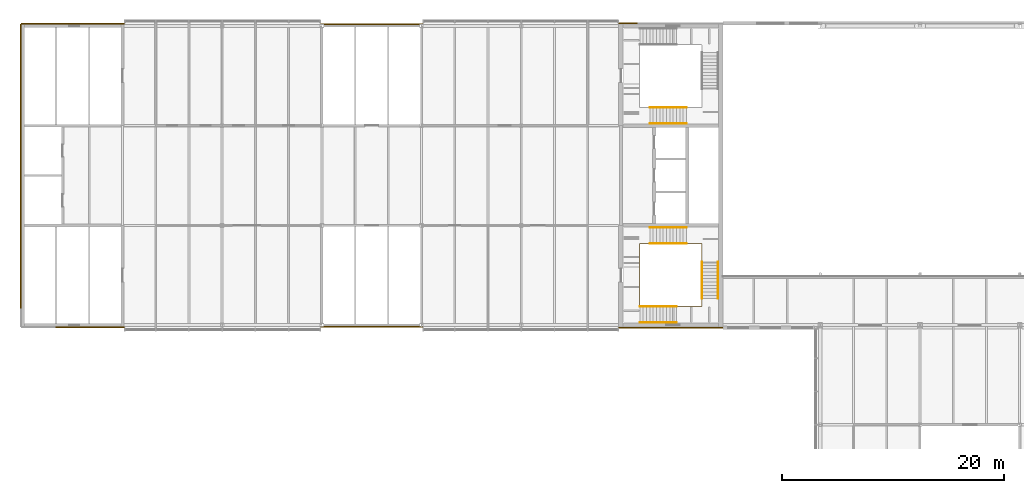
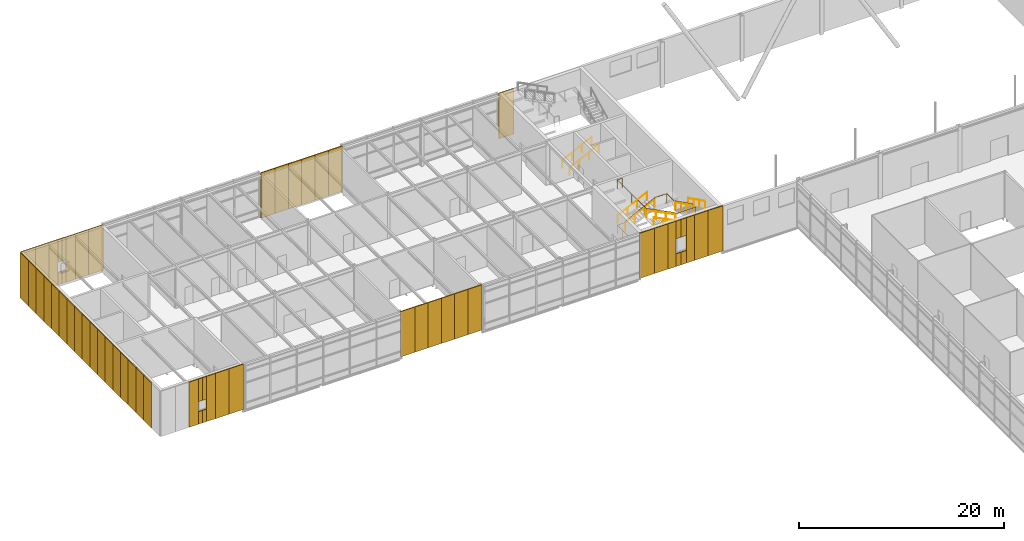
# One storey, part 43 of 46: 58 coverings, 9 railings.
"""IFC4 building model written with IfcOpenShell, lengths in metres."""

import ifcopenshell
import ifcopenshell.guid

model = None  # the IFC model being written
_history = None  # IfcOwnerHistory: only IFC2X3 demands one
_inside = {}  # id of a spatial element -> (the spatial element, [elements in it])
_under = {}  # id of a project, library or spatial element -> (it, [spatial elements below it])
_declared = {}  # id of a project -> (the project, [libraries it declares])
_typed = {}  # id of a type object -> (the type object, [elements of that type])
_made_of = {}  # id of a material, layer set ... -> (it, [elements and type objects made of it])


def new_model(schema):
    """Start an empty IFC model of exactly this schema.

    Asked for "IFC4X3", IfcOpenShell would pick the latest addendum, in which some entities
    have other attributes; the version numbers below select the first issue.
    IFC2X3 requires an IfcOwnerHistory on every rooted entity: one is made here for all.
    """
    global model, _history
    if schema == "IFC4X3":
        model = ifcopenshell.file(schema_version=(4, 3, 0, 0))
    else:
        model = ifcopenshell.file(schema=schema)
    _inside.clear()
    _under.clear()
    _declared.clear()
    _typed.clear()
    _made_of.clear()
    _history = None
    if model.schema == "IFC2X3":
        org = make("IfcOrganization", Name="unknown")
        user = make(
            "IfcPersonAndOrganization",
            ThePerson=make("IfcPerson", FamilyName="unknown"),
            TheOrganization=org,
        )
        app = make(
            "IfcApplication",
            ApplicationDeveloper=org,
            Version="unknown",
            ApplicationFullName="unknown",
            ApplicationIdentifier="unknown",
        )
        _history = make(
            "IfcOwnerHistory",
            OwningUser=user,
            OwningApplication=app,
            ChangeAction="ADDED",
            CreationDate=0,
        )
    return model


def make(cls, **values):
    """One entity of the class cls with the attributes given. An attribute that is None is left unset."""
    return model.create_entity(
        cls, **{name: value for name, value in values.items() if value is not None}
    )


def rooted(cls, **values):
    """An entity with a GlobalId (a new one), such as an element, a storey or a relation."""
    return make(cls, GlobalId=ifcopenshell.guid.new(), OwnerHistory=_history, **values)


def si_unit(unit_type, name, prefix=None):
    """IfcSIUnit, for example si_unit("LENGTHUNIT", "METRE", prefix="MILLI")."""
    return make("IfcSIUnit", UnitType=unit_type, Prefix=prefix, Name=name)


def assignment(units):
    """IfcUnitAssignment: the units of a project."""
    return None if units is None else make("IfcUnitAssignment", Units=units)


def point(xyz):
    """IfcCartesianPoint."""
    return None if xyz is None else make("IfcCartesianPoint", Coordinates=xyz)


def direction(xyz):
    """IfcDirection."""
    return None if xyz is None else make("IfcDirection", DirectionRatios=xyz)


def frame(location, z_axis=None, x_axis=None):
    """IfcAxis2Placement3D, a coordinate frame: its origin and axes. An axis left out is left unset."""
    return make(
        "IfcAxis2Placement3D",
        Location=point(location),
        Axis=direction(z_axis),
        RefDirection=direction(x_axis),
    )


def frame_2d(location, x_axis=None):
    """IfcAxis2Placement2D, a coordinate frame in the plane: its origin and x axis."""
    return make(
        "IfcAxis2Placement2D", Location=point(location), RefDirection=direction(x_axis)
    )


def origin():
    """The frame at (0, 0, 0) with its axes left unset."""
    return frame((0.0, 0.0, 0.0))


def origin_2d():
    """The frame at (0, 0) in the plane with its x axis left unset."""
    return frame_2d((0.0, 0.0))


def place(relative_to, where):
    """IfcLocalPlacement: puts the frame where relative to a parent placement (None: the world)."""
    return make(
        "IfcLocalPlacement", PlacementRelTo=relative_to, RelativePlacement=where
    )


def context(
    kind, dimensions, precision=None, world=None, true_north=None, identifier=None
):
    """IfcGeometricRepresentationContext, for example the 3D "Model" context."""
    return make(
        "IfcGeometricRepresentationContext",
        ContextIdentifier=identifier,
        ContextType=kind,
        CoordinateSpaceDimension=dimensions,
        Precision=precision,
        WorldCoordinateSystem=world,
        TrueNorth=true_north,
    )


def subcontext(parent, identifier, kind, view, scale=None):
    """IfcGeometricRepresentationSubContext, for example "Body" below "Model"."""
    return make(
        "IfcGeometricRepresentationSubContext",
        ContextIdentifier=identifier,
        ContextType=kind,
        ParentContext=parent,
        TargetScale=scale,
        TargetView=view,
    )


def project(units=None, contexts=None):
    """IfcProject with its units and contexts."""
    return rooted(
        "IfcProject",
        Name="project",
        RepresentationContexts=contexts,
        UnitsInContext=assignment(units),
    )


def spatial(cls, under=None, at=None, **own):
    """A site, building, storey or space (cls), placed at a placement, below another one or the project."""
    s = rooted(cls, ObjectPlacement=at, **own)
    if under is not None:
        _under.setdefault(under.id(), (under, []))[1].append(s)
    return s


def profile(cls, at=None, kind="AREA", **sizes):
    """A parametric profile (cls). Its sizes go by their IFC names, for example OverallWidth=200.0."""
    return make(cls, ProfileType=kind, Position=at, **sizes)


def rectangle(**sizes):
    """IfcRectangleProfileDef."""
    return profile("IfcRectangleProfileDef", **sizes)


def circle(**sizes):
    """IfcCircleProfileDef."""
    return profile("IfcCircleProfileDef", **sizes)


def extrude(swept, where, along, depth):
    """IfcExtrudedAreaSolid: the profile swept, set in the frame where, extruded along a direction by depth."""
    return make(
        "IfcExtrudedAreaSolid",
        SweptArea=swept,
        Position=where,
        ExtrudedDirection=direction(along),
        Depth=depth,
    )


def shape(context_of_items, identifier, shape_type, items):
    """IfcShapeRepresentation: the items that make up one representation, for example the "Body"."""
    return make(
        "IfcShapeRepresentation",
        ContextOfItems=context_of_items,
        RepresentationIdentifier=identifier,
        RepresentationType=shape_type,
        Items=items,
    )


def material(Name=None, Category=None):
    """IfcMaterial."""
    return make("IfcMaterial", Name=Name, Category=Category)


def layer(
    of_material, thickness, ventilated=None, Name=None, Category=None, Priority=None
):
    """IfcMaterialLayer: one layer of a wall or slab, of a material (None: an air gap)."""
    return make(
        "IfcMaterialLayer",
        Material=of_material,
        LayerThickness=thickness,
        IsVentilated=ventilated,
        Name=Name,
        Category=Category,
        Priority=Priority,
    )


def layer_set(layers, Name=None):
    """IfcMaterialLayerSet."""
    return make("IfcMaterialLayerSet", MaterialLayers=layers, LayerSetName=Name)


def made_of(thing, what):
    """Note that an element or type object is made of a material, layer set ...; save() writes the relation."""
    if what is not None:
        _made_of.setdefault(what.id(), (what, []))[1].append(thing)
    return thing


def type_object(cls, material=None, **own):
    """A type object (cls), such as IfcWallType, which elements share."""
    return made_of(rooted(cls, **own), material)


def element(
    cls,
    number,
    at=None,
    inside=None,
    cuts=None,
    type_object=None,
    material=None,
    context=None,
    identifier="Body",
    shape_type=None,
    held_by="IfcProductDefinitionShape",
    body=None,
    shapes=None,
    **own,
):
    """One element of the class cls, such as IfcWall. Its Tag is "e" and its number.

    at: its placement. inside: the storey or other place that contains it. cuts: it is an
    opening in that element (IfcRelVoidsElement). A single representation is given by context,
    identifier, shape_type and body (its items); several are given by shapes. held_by: the class
    of the entity that holds the representations. save() writes the other relations.
    """
    e = rooted(cls, Tag="e%d" % number, ObjectPlacement=at, **own)
    if body is not None:
        shapes = [shape(context, identifier, shape_type, body)]
    if shapes is not None:
        e.Representation = make(held_by, Representations=shapes)
    if inside is not None:
        _inside.setdefault(inside.id(), (inside, []))[1].append(e)
    if cuts is not None:
        rooted(
            "IfcRelVoidsElement", RelatingBuildingElement=cuts, RelatedOpeningElement=e
        )
    if type_object is not None:
        _typed.setdefault(type_object.id(), (type_object, []))[1].append(e)
    return made_of(e, material)


def aggregate(whole, parts):
    """IfcRelAggregates: a whole, such as a stair, and the parts it consists of."""
    return rooted("IfcRelAggregates", RelatingObject=whole, RelatedObjects=parts)


def save(model, path):
    """Write the relations noted so far, then the file.

    IfcRelAggregates (storeys below a building ...), IfcRelContainedInSpatialStructure (elements
    in a storey), IfcRelDefinesByType, IfcRelAssociatesMaterial and IfcRelDeclares: one each for
    every whole, place, type object, material and project.
    """
    for whole, parts in _under.values():
        aggregate(whole, parts)
    for where, things in _inside.values():
        rooted(
            "IfcRelContainedInSpatialStructure",
            RelatedElements=things,
            RelatingStructure=where,
        )
    for kind, things in _typed.values():
        rooted("IfcRelDefinesByType", RelatedObjects=things, RelatingType=kind)
    for what, things in _made_of.values():
        rooted("IfcRelAssociatesMaterial", RelatedObjects=things, RelatingMaterial=what)
    for by, libraries in _declared.values():
        rooted("IfcRelDeclares", RelatingContext=by, RelatedDefinitions=libraries)
    model.write(path)


model = new_model("IFC4")

# Units and contexts
model_context = context("Model", 3, precision=1e-05, world=origin(), true_north=direction((0.0, 1.0)))
body_context = subcontext(model_context, "Body", "Model", "MODEL_VIEW")
ifc_project = project(units=[si_unit("LENGTHUNIT", "METRE"), si_unit("AREAUNIT", "SQUARE_METRE"), si_unit("VOLUMEUNIT", "CUBIC_METRE"), si_unit("PLANEANGLEUNIT", "RADIAN"), si_unit("MASSUNIT", "GRAM", prefix="KILO")], contexts=[model_context])

# Site, building, storey
site_placement = place(None, origin())
site = spatial("IfcSite", under=ifc_project, at=site_placement, CompositionType="ELEMENT")
building_placement = place(site_placement, origin())
building = spatial("IfcBuilding", under=site, at=building_placement, Name="Azimuth Sports and Learning Centre", CompositionType="ELEMENT")
storey_placement = place(building_placement, frame((0.0, 0.0, 21.60009765625)))
storey = spatial("IfcBuildingStorey", under=building, at=storey_placement, Name="L04", CompositionType="ELEMENT", Elevation=21.60009765625)

# Coverings
ifc_material_1 = material(Name="Cladding panel")
ifc_layer = layer(ifc_material_1, 0.10009765625)
ifc_layer_set = layer_set([ifc_layer], Name="Cladding panel")
covering_type = type_object("IfcCoveringType", Name="Cladding panel 100", PredefinedType="CLADDING", material=ifc_layer_set)
covering_1_placement = place(storey_placement, frame((3.52490234375, 89.800048828125, 0.0), z_axis=(0.0, 0.0, 1.0), x_axis=(1.0, 0.0, 0.0)))
element("IfcCovering", 1, at=covering_1_placement, inside=storey, type_object=covering_type, Name="Cladding panel S-END W L04 3", PredefinedType="CLADDING", context=body_context, shape_type="SweptSolid", body=[
    extrude(rectangle(XDim=1.050048828125, YDim=0.10009765625, at=origin_2d()), origin(), (0.0, 0.0, 1.0), 5.39990234375),
])
covering_2_placement = place(storey_placement, frame((4.27490234375, 89.800048828125, 0.0), z_axis=(0.0, 0.0, 1.0), x_axis=(1.0, 0.0, 0.0)))
element("IfcCovering", 2, at=covering_2_placement, inside=storey, type_object=covering_type, Name="Cladding panel S-END W L04 4", PredefinedType="CLADDING", context=body_context, shape_type="SweptSolid", body=[
    extrude(rectangle(XDim=0.449951171875, YDim=0.10009765625, at=origin_2d()), origin(), (0.0, 0.0, 1.0), 1.5),
])
covering_3_placement = place(storey_placement, frame((4.27490234375, 89.800048828125, 2.69970703125), z_axis=(0.0, 0.0, 1.0), x_axis=(1.0, 0.0, 0.0)))
element("IfcCovering", 3, at=covering_3_placement, inside=storey, type_object=covering_type, Name="Cladding panel S-END W L04 5", PredefinedType="CLADDING", context=body_context, shape_type="SweptSolid", body=[
    extrude(rectangle(XDim=0.449951171875, YDim=0.10009765625, at=origin_2d()), origin(), (0.0, 0.0, 1.0), 2.699951171875),
])
covering_4_placement = place(storey_placement, frame((5.47509765625, 89.800048828125, 0.0), z_axis=(0.0, 0.0, 1.0), x_axis=(1.0, 0.0, 0.0)))
element("IfcCovering", 4, at=covering_4_placement, inside=storey, type_object=covering_type, Name="Cladding panel S-END W L04 6", PredefinedType="CLADDING", context=body_context, shape_type="SweptSolid", body=[
    extrude(rectangle(XDim=1.050048828125, YDim=0.10009765625, at=origin_2d()), origin(), (0.0, 0.0, 1.0), 5.39990234375),
])
covering_5_placement = place(storey_placement, frame((4.72509765625, 89.800048828125, 0.0), z_axis=(0.0, 0.0, 1.0), x_axis=(1.0, 0.0, 0.0)))
element("IfcCovering", 5, at=covering_5_placement, inside=storey, type_object=covering_type, Name="Cladding panel S-END W L04 7", PredefinedType="CLADDING", context=body_context, shape_type="SweptSolid", body=[
    extrude(rectangle(XDim=0.449951171875, YDim=0.10009765625, at=origin_2d()), origin(), (0.0, 0.0, 1.0), 1.5),
])
covering_6_placement = place(storey_placement, frame((4.72509765625, 89.800048828125, 2.69970703125), z_axis=(0.0, 0.0, 1.0), x_axis=(1.0, 0.0, 0.0)))
element("IfcCovering", 6, at=covering_6_placement, inside=storey, type_object=covering_type, Name="Cladding panel S-END W L04 8", PredefinedType="CLADDING", context=body_context, shape_type="SweptSolid", body=[
    extrude(rectangle(XDim=0.449951171875, YDim=0.10009765625, at=origin_2d()), origin(), (0.0, 0.0, 1.0), 2.699951171875),
])
covering_7_placement = place(storey_placement, frame((6.75, 89.800048828125, 0.0), z_axis=(0.0, 0.0, 1.0), x_axis=(1.0, 0.0, 0.0)))
element("IfcCovering", 7, at=covering_7_placement, inside=storey, type_object=covering_type, Name="Cladding panel S-END W L04 9", PredefinedType="CLADDING", context=body_context, shape_type="SweptSolid", body=[
    extrude(rectangle(XDim=1.5, YDim=0.10009765625, at=origin_2d()), origin(), (0.0, 0.0, 1.0), 5.39990234375),
])
covering_8_placement = place(storey_placement, frame((8.324951171875, 89.800048828125, 0.0), z_axis=(0.0, 0.0, 1.0), x_axis=(1.0, 0.0, 0.0)))
element("IfcCovering", 8, at=covering_8_placement, inside=storey, type_object=covering_type, Name="Cladding panel S-END W L04 10", PredefinedType="CLADDING", context=body_context, shape_type="SweptSolid", body=[
    extrude(rectangle(XDim=1.64990234375, YDim=0.10009765625, at=origin_2d()), origin(), (0.0, 0.0, 1.0), 5.39990234375),
])
covering_9_placement = place(storey_placement, frame((27.699951171875, 89.85009765625, 0.0), z_axis=(0.0, 0.0, 1.0), x_axis=(1.0, 0.0, 0.0)))
element("IfcCovering", 9, at=covering_9_placement, inside=storey, type_object=covering_type, Name="Cladding panel S-WM1 L04 1", PredefinedType="CLADDING", context=body_context, shape_type="SweptSolid", body=[
    extrude(rectangle(XDim=1.60009765625, YDim=0.10009765625, at=origin_2d()), origin(), (0.0, 0.0, 1.0), 5.39990234375),
])
for number, where, z_axis, x_axis, name in (
    (10, (29.25, 89.85009765625, 0.0), (0.0, 0.0, 1.0), (1.0, 0.0, 0.0), "Cladding panel S-WM1 L04 2"),
    (11, (30.75, 89.85009765625, 0.0), (0.0, 0.0, 1.0), (1.0, 0.0, 0.0), "Cladding panel S-WM1 L04 3"),
    (12, (32.25, 89.85009765625, 0.0), (0.0, 0.0, 1.0), (1.0, 0.0, 0.0), "Cladding panel S-WM1 L04 4"),
    (13, (33.75, 89.85009765625, 0.0), (0.0, 0.0, 1.0), (1.0, 0.0, 0.0), "Cladding panel S-WM1 L04 5"),
):
    element("IfcCovering", number, at=place(storey_placement, frame(where, z_axis=z_axis, x_axis=x_axis)), inside=storey, type_object=covering_type, Name=name, PredefinedType="CLADDING", context=body_context, shape_type="SweptSolid", body=[
        extrude(rectangle(XDim=1.5, YDim=0.10009765625, at=origin_2d()), origin(), (0.0, 0.0, 1.0), 5.39990234375),
    ])
covering_10_placement = place(storey_placement, frame((35.300048828125, 89.85009765625, 0.0), z_axis=(0.0, 0.0, 1.0), x_axis=(1.0, 0.0, 0.0)))
element("IfcCovering", 14, at=covering_10_placement, inside=storey, type_object=covering_type, Name="Cladding panel S-WM1 L04 6", PredefinedType="CLADDING", context=body_context, shape_type="SweptSolid", body=[
    extrude(rectangle(XDim=1.60009765625, YDim=0.10009765625, at=origin_2d()), origin(), (0.0, 0.0, 1.0), 5.39990234375),
])
covering_11_placement = place(storey_placement, frame((54.64990234375, 89.75, 0.0), z_axis=(0.0, 0.0, 1.0), x_axis=(1.0, 0.0, 0.0)))
element("IfcCovering", 15, at=covering_11_placement, inside=storey, type_object=covering_type, Name="Cladding panel S-CORE W L04 1", PredefinedType="CLADDING", context=body_context, shape_type="SweptSolid", body=[
    extrude(rectangle(XDim=1.699951171875, YDim=0.10009765625, at=origin_2d()), origin(), (0.0, 0.0, 1.0), 5.39990234375),
])
covering_12_placement = place(storey_placement, frame((56.25, 89.75, 0.0), z_axis=(0.0, 0.0, 1.0), x_axis=(1.0, 0.0, 0.0)))
element("IfcCovering", 16, at=covering_12_placement, inside=storey, type_object=covering_type, Name="Cladding panel S-CORE W L04 2", PredefinedType="CLADDING", context=body_context, shape_type="SweptSolid", body=[
    extrude(rectangle(XDim=1.5, YDim=0.10009765625, at=origin_2d()), origin(), (0.0, 0.0, 1.0), 5.39990234375),
])
covering_13_placement = place(storey_placement, frame((57.449951171875, 89.75, 0.0), z_axis=(0.0, 0.0, 1.0), x_axis=(1.0, 0.0, 0.0)))
element("IfcCovering", 17, at=covering_13_placement, inside=storey, type_object=covering_type, Name="Cladding panel S-CORE W L04 3", PredefinedType="CLADDING", context=body_context, shape_type="SweptSolid", body=[
    extrude(rectangle(XDim=0.89990234375, YDim=0.10009765625, at=origin_2d()), origin(), (0.0, 0.0, 1.0), 5.39990234375),
])
covering_14_placement = place(storey_placement, frame((58.199951171875, 89.75, 0.0), z_axis=(0.0, 0.0, 1.0), x_axis=(1.0, 0.0, 0.0)))
element("IfcCovering", 18, at=covering_14_placement, inside=storey, type_object=covering_type, Name="Cladding panel S-CORE W L04 4", PredefinedType="CLADDING", context=body_context, shape_type="SweptSolid", body=[
    extrude(rectangle(XDim=0.60009765625, YDim=0.10009765625, at=origin_2d()), origin(), (0.0, 0.0, 1.0), 1.5),
])
covering_15_placement = place(storey_placement, frame((58.199951171875, 89.75, 3.2998046875), z_axis=(0.0, 0.0, 1.0), x_axis=(1.0, 0.0, 0.0)))
element("IfcCovering", 19, at=covering_15_placement, inside=storey, type_object=covering_type, Name="Cladding panel S-CORE W L04 5", PredefinedType="CLADDING", context=body_context, shape_type="SweptSolid", body=[
    extrude(rectangle(XDim=0.60009765625, YDim=0.10009765625, at=origin_2d()), origin(), (0.0, 0.0, 1.0), 2.10009765625),
])
covering_16_placement = place(storey_placement, frame((59.550048828125, 89.75, 0.0), z_axis=(0.0, 0.0, 1.0), x_axis=(1.0, 0.0, 0.0)))
element("IfcCovering", 20, at=covering_16_placement, inside=storey, type_object=covering_type, Name="Cladding panel S-CORE W L04 6", PredefinedType="CLADDING", context=body_context, shape_type="SweptSolid", body=[
    extrude(rectangle(XDim=0.89990234375, YDim=0.10009765625, at=origin_2d()), origin(), (0.0, 0.0, 1.0), 5.39990234375),
])
covering_17_placement = place(storey_placement, frame((58.800048828125, 89.75, 0.0), z_axis=(0.0, 0.0, 1.0), x_axis=(1.0, 0.0, 0.0)))
element("IfcCovering", 21, at=covering_17_placement, inside=storey, type_object=covering_type, Name="Cladding panel S-CORE W L04 7", PredefinedType="CLADDING", context=body_context, shape_type="SweptSolid", body=[
    extrude(rectangle(XDim=0.60009765625, YDim=0.10009765625, at=origin_2d()), origin(), (0.0, 0.0, 1.0), 1.5),
])
covering_18_placement = place(storey_placement, frame((58.800048828125, 89.75, 3.2998046875), z_axis=(0.0, 0.0, 1.0), x_axis=(1.0, 0.0, 0.0)))
element("IfcCovering", 22, at=covering_18_placement, inside=storey, type_object=covering_type, Name="Cladding panel S-CORE W L04 8", PredefinedType="CLADDING", context=body_context, shape_type="SweptSolid", body=[
    extrude(rectangle(XDim=0.60009765625, YDim=0.10009765625, at=origin_2d()), origin(), (0.0, 0.0, 1.0), 2.10009765625),
])
covering_19_placement = place(storey_placement, frame((60.75, 89.75, 0.0), z_axis=(0.0, 0.0, 1.0), x_axis=(1.0, 0.0, 0.0)))
element("IfcCovering", 23, at=covering_19_placement, inside=storey, type_object=covering_type, Name="Cladding panel S-CORE W L04 9", PredefinedType="CLADDING", context=body_context, shape_type="SweptSolid", body=[
    extrude(rectangle(XDim=1.5, YDim=0.10009765625, at=origin_2d()), origin(), (0.0, 0.0, 1.0), 5.39990234375),
])
for number, where, z_axis, x_axis, name in (
    (24, (62.35009765625, 89.75, 0.0), (0.0, 0.0, 1.0), (1.0, 0.0, 0.0), "Cladding panel S-CORE W L04 10"),
    (25, (54.64990234375, 117.25, 0.0), (0.0, 0.0, 1.0), (-1.0, 0.0, 0.0), "Cladding panel N-CORE W L04 10"),
):
    element("IfcCovering", number, at=place(storey_placement, frame(where, z_axis=z_axis, x_axis=x_axis)), inside=storey, type_object=covering_type, Name=name, PredefinedType="CLADDING", context=body_context, shape_type="SweptSolid", body=[
        extrude(rectangle(XDim=1.699951171875, YDim=0.10009765625, at=origin_2d()), origin(), (0.0, 0.0, 1.0), 5.39990234375),
    ])
covering_20_placement = place(storey_placement, frame((35.300048828125, 117.14990234375, 0.0), z_axis=(0.0, 0.0, 1.0), x_axis=(-1.0, 0.0, 0.0)))
element("IfcCovering", 26, at=covering_20_placement, inside=storey, type_object=covering_type, Name="Cladding panel N-WM2 L04 1", PredefinedType="CLADDING", context=body_context, shape_type="SweptSolid", body=[
    extrude(rectangle(XDim=1.60009765625, YDim=0.10009765625, at=origin_2d()), origin(), (0.0, 0.0, 1.0), 5.39990234375),
])
for number, where, z_axis, x_axis, name in (
    (27, (33.75, 117.14990234375, 0.0), (0.0, 0.0, 1.0), (-1.0, 0.0, 0.0), "Cladding panel N-WM2 L04 2"),
    (28, (32.25, 117.14990234375, 0.0), (0.0, 0.0, 1.0), (-1.0, 0.0, 0.0), "Cladding panel N-WM2 L04 3"),
    (29, (30.75, 117.14990234375, 0.0), (0.0, 0.0, 1.0), (-1.0, 0.0, 0.0), "Cladding panel N-WM2 L04 4"),
    (30, (29.25, 117.14990234375, 0.0), (0.0, 0.0, 1.0), (-1.0, 0.0, 0.0), "Cladding panel N-WM2 L04 5"),
):
    element("IfcCovering", number, at=place(storey_placement, frame(where, z_axis=z_axis, x_axis=x_axis)), inside=storey, type_object=covering_type, Name=name, PredefinedType="CLADDING", context=body_context, shape_type="SweptSolid", body=[
        extrude(rectangle(XDim=1.5, YDim=0.10009765625, at=origin_2d()), origin(), (0.0, 0.0, 1.0), 5.39990234375),
    ])
covering_21_placement = place(storey_placement, frame((27.699951171875, 117.14990234375, 0.0), z_axis=(0.0, 0.0, 1.0), x_axis=(-1.0, 0.0, 0.0)))
element("IfcCovering", 31, at=covering_21_placement, inside=storey, type_object=covering_type, Name="Cladding panel N-WM2 L04 6", PredefinedType="CLADDING", context=body_context, shape_type="SweptSolid", body=[
    extrude(rectangle(XDim=1.60009765625, YDim=0.10009765625, at=origin_2d()), origin(), (0.0, 0.0, 1.0), 5.39990234375),
])
covering_22_placement = place(storey_placement, frame((8.324951171875, 117.199951171875, 0.0), z_axis=(0.0, 0.0, 1.0), x_axis=(-1.0, 0.0, 0.0)))
element("IfcCovering", 32, at=covering_22_placement, inside=storey, type_object=covering_type, Name="Cladding panel N-END W L04 1", PredefinedType="CLADDING", context=body_context, shape_type="SweptSolid", body=[
    extrude(rectangle(XDim=1.64990234375, YDim=0.10009765625, at=origin_2d()), origin(), (0.0, 0.0, 1.0), 5.39990234375),
])
covering_23_placement = place(storey_placement, frame((6.75, 117.199951171875, 0.0), z_axis=(0.0, 0.0, 1.0), x_axis=(-1.0, 0.0, 0.0)))
element("IfcCovering", 33, at=covering_23_placement, inside=storey, type_object=covering_type, Name="Cladding panel N-END W L04 2", PredefinedType="CLADDING", context=body_context, shape_type="SweptSolid", body=[
    extrude(rectangle(XDim=1.5, YDim=0.10009765625, at=origin_2d()), origin(), (0.0, 0.0, 1.0), 5.39990234375),
])
covering_24_placement = place(storey_placement, frame((5.47509765625, 117.199951171875, 0.0), z_axis=(0.0, 0.0, 1.0), x_axis=(-1.0, 0.0, 0.0)))
element("IfcCovering", 34, at=covering_24_placement, inside=storey, type_object=covering_type, Name="Cladding panel N-END W L04 3", PredefinedType="CLADDING", context=body_context, shape_type="SweptSolid", body=[
    extrude(rectangle(XDim=1.050048828125, YDim=0.10009765625, at=origin_2d()), origin(), (0.0, 0.0, 1.0), 5.39990234375),
])
covering_25_placement = place(storey_placement, frame((4.72509765625, 117.199951171875, 0.0), z_axis=(0.0, 0.0, 1.0), x_axis=(-1.0, 0.0, 0.0)))
element("IfcCovering", 35, at=covering_25_placement, inside=storey, type_object=covering_type, Name="Cladding panel N-END W L04 4", PredefinedType="CLADDING", context=body_context, shape_type="SweptSolid", body=[
    extrude(rectangle(XDim=0.449951171875, YDim=0.10009765625, at=origin_2d()), origin(), (0.0, 0.0, 1.0), 1.5),
])
covering_26_placement = place(storey_placement, frame((4.72509765625, 117.199951171875, 2.69970703125), z_axis=(0.0, 0.0, 1.0), x_axis=(-1.0, 0.0, 0.0)))
element("IfcCovering", 36, at=covering_26_placement, inside=storey, type_object=covering_type, Name="Cladding panel N-END W L04 5", PredefinedType="CLADDING", context=body_context, shape_type="SweptSolid", body=[
    extrude(rectangle(XDim=0.449951171875, YDim=0.10009765625, at=origin_2d()), origin(), (0.0, 0.0, 1.0), 2.699951171875),
])
covering_27_placement = place(storey_placement, frame((3.52490234375, 117.199951171875, 0.0), z_axis=(0.0, 0.0, 1.0), x_axis=(-1.0, 0.0, 0.0)))
element("IfcCovering", 37, at=covering_27_placement, inside=storey, type_object=covering_type, Name="Cladding panel N-END W L04 6", PredefinedType="CLADDING", context=body_context, shape_type="SweptSolid", body=[
    extrude(rectangle(XDim=1.050048828125, YDim=0.10009765625, at=origin_2d()), origin(), (0.0, 0.0, 1.0), 5.39990234375),
])
covering_28_placement = place(storey_placement, frame((4.27490234375, 117.199951171875, 0.0), z_axis=(0.0, 0.0, 1.0), x_axis=(-1.0, 0.0, 0.0)))
element("IfcCovering", 38, at=covering_28_placement, inside=storey, type_object=covering_type, Name="Cladding panel N-END W L04 7", PredefinedType="CLADDING", context=body_context, shape_type="SweptSolid", body=[
    extrude(rectangle(XDim=0.449951171875, YDim=0.10009765625, at=origin_2d()), origin(), (0.0, 0.0, 1.0), 1.5),
])
covering_29_placement = place(storey_placement, frame((4.27490234375, 117.199951171875, 2.69970703125), z_axis=(0.0, 0.0, 1.0), x_axis=(-1.0, 0.0, 0.0)))
element("IfcCovering", 39, at=covering_29_placement, inside=storey, type_object=covering_type, Name="Cladding panel N-END W L04 8", PredefinedType="CLADDING", context=body_context, shape_type="SweptSolid", body=[
    extrude(rectangle(XDim=0.449951171875, YDim=0.10009765625, at=origin_2d()), origin(), (0.0, 0.0, 1.0), 2.699951171875),
])
covering_30_placement = place(storey_placement, frame((2.25, 117.199951171875, 0.0), z_axis=(0.0, 0.0, 1.0), x_axis=(-1.0, 0.0, 0.0)))
element("IfcCovering", 40, at=covering_30_placement, inside=storey, type_object=covering_type, Name="Cladding panel N-END W L04 9", PredefinedType="CLADDING", context=body_context, shape_type="SweptSolid", body=[
    extrude(rectangle(XDim=1.5, YDim=0.10009765625, at=origin_2d()), origin(), (0.0, 0.0, 1.0), 5.39990234375),
])
for number, where, z_axis, x_axis, name in (
    (41, (0.675048828125, 117.199951171875, 0.0), (0.0, 0.0, 1.0), (-1.0, 0.0, 0.0), "Cladding panel N-END W L04 10"),
    (42, (-0.199951171875, 116.324951171875, 0.0), (0.0, 0.0, 1.0), (0.0, -1.0, 0.0), "Cladding panel W-END W L04 1"),
):
    element("IfcCovering", number, at=place(storey_placement, frame(where, z_axis=z_axis, x_axis=x_axis)), inside=storey, type_object=covering_type, Name=name, PredefinedType="CLADDING", context=body_context, shape_type="SweptSolid", body=[
        extrude(rectangle(XDim=1.64990234375, YDim=0.10009765625, at=origin_2d()), origin(), (0.0, 0.0, 1.0), 5.39990234375),
    ])
for number, where, z_axis, x_axis, name in (
    (43, (-0.199951171875, 114.75, 0.0), (0.0, 0.0, 1.0), (0.0, -1.0, 0.0), "Cladding panel W-END W L04 2"),
    (44, (-0.199951171875, 113.25, 0.0), (0.0, 0.0, 1.0), (0.0, -1.0, 0.0), "Cladding panel W-END W L04 3"),
    (45, (-0.199951171875, 111.75, 0.0), (0.0, 0.0, 1.0), (0.0, -1.0, 0.0), "Cladding panel W-END W L04 4"),
    (46, (-0.199951171875, 110.25, 0.0), (0.0, 0.0, 1.0), (0.0, -1.0, 0.0), "Cladding panel W-END W L04 5"),
    (47, (-0.199951171875, 108.75, 0.0), (0.0, 0.0, 1.0), (0.0, -1.0, 0.0), "Cladding panel W-END W L04 6"),
    (48, (-0.199951171875, 107.25, 0.0), (0.0, 0.0, 1.0), (0.0, -1.0, 0.0), "Cladding panel W-END W L04 7"),
    (49, (-0.199951171875, 105.75, 0.0), (0.0, 0.0, 1.0), (0.0, -1.0, 0.0), "Cladding panel W-END W L04 8"),
    (50, (-0.199951171875, 104.25, 0.0), (0.0, 0.0, 1.0), (0.0, -1.0, 0.0), "Cladding panel W-END W L04 9"),
    (51, (-0.199951171875, 102.75, 0.0), (0.0, 0.0, 1.0), (0.0, -1.0, 0.0), "Cladding panel W-END W L04 10"),
    (52, (-0.199951171875, 101.25, 0.0), (0.0, 0.0, 1.0), (0.0, -1.0, 0.0), "Cladding panel W-END W L04 11"),
    (53, (-0.199951171875, 99.75, 0.0), (0.0, 0.0, 1.0), (0.0, -1.0, 0.0), "Cladding panel W-END W L04 12"),
    (54, (-0.199951171875, 98.25, 0.0), (0.0, 0.0, 1.0), (0.0, -1.0, 0.0), "Cladding panel W-END W L04 13"),
    (55, (-0.199951171875, 96.75, 0.0), (0.0, 0.0, 1.0), (0.0, -1.0, 0.0), "Cladding panel W-END W L04 14"),
    (56, (-0.199951171875, 95.25, 0.0), (0.0, 0.0, 1.0), (0.0, -1.0, 0.0), "Cladding panel W-END W L04 15"),
    (57, (-0.199951171875, 93.75, 0.0), (0.0, 0.0, 1.0), (0.0, -1.0, 0.0), "Cladding panel W-END W L04 16"),
    (58, (-0.199951171875, 92.25, 0.0), (0.0, 0.0, 1.0), (0.0, -1.0, 0.0), "Cladding panel W-END W L04 17"),
):
    element("IfcCovering", number, at=place(storey_placement, frame(where, z_axis=z_axis, x_axis=x_axis)), inside=storey, type_object=covering_type, Name=name, PredefinedType="CLADDING", context=body_context, shape_type="SweptSolid", body=[
        extrude(rectangle(XDim=1.5, YDim=0.10009765625, at=origin_2d()), origin(), (0.0, 0.0, 1.0), 5.39990234375),
    ])

# Railings
ifc_material_2 = material(Name="Stainless steel", Category="steel")
railing_type_1 = type_object("IfcRailingType", Name="Stair guard 1100", PredefinedType="GUARDRAIL", material=ifc_material_2)
railing_placement = place(storey_placement, frame((55.7099609375, 95.25, 0.0)))
element("IfcRailing", 59, at=railing_placement, inside=storey, type_object=railing_type_1, Name="Guard W1 L04 well", PredefinedType="GUARDRAIL", context=body_context, shape_type="SweptSolid", body=[
    extrude(circle(Radius=0.02392578125, at=origin_2d()), frame((0.0, 0.0, 1.076171875), z_axis=(0.0, 1.0, 0.0), x_axis=(-1.0, 0.0, 0.0)), (0.0, 0.0, 1.0), 2.090087890625),
    extrude(circle(Radius=0.02392578125, at=origin_2d()), frame((0.0, 2.090087890625, 1.076171875), z_axis=(1.0, 0.0, 0.0), x_axis=(0.0, 1.0, 0.0)), (0.0, 0.0, 1.0), 0.900146484375),
    extrude(circle(Radius=0.02392578125, at=origin_2d()), frame((0.900146484375, 2.090087890625, 1.076171875), z_axis=(0.0, 0.0, 1.0), x_axis=(1.0, 0.0, 0.0)), (0.0, 0.0, 1.0), 0.14990234375),
    extrude(circle(Radius=0.02392578125, at=origin_2d()), frame((0.900146484375, 2.090087890625, 1.22607421875), z_axis=(0.894427191, 0.0, 0.4472135955), x_axis=(0.0, 1.0, 0.0)), (0.0, 0.0, 1.0), 3.689208984375),
    extrude(circle(Radius=0.02392578125, at=origin_2d()), frame((4.199951171875, 2.090087890625, 2.8759765625), z_axis=(1.0, 0.0, 0.0), x_axis=(0.0, 1.0, 0.0)), (0.0, 0.0, 1.0), 1.380126953125),
    extrude(circle(Radius=0.02392578125, at=origin_2d()), frame((5.580078125, 2.090087890625, 2.8759765625), z_axis=(0.0, -1.0, 0.0), x_axis=(1.0, 0.0, 0.0)), (0.0, 0.0, 1.0), 1.650146484375),
    extrude(circle(Radius=0.02392578125, at=origin_2d()), frame((5.580078125, 0.43994140625, 2.8759765625), z_axis=(0.0, 0.0, 1.0), x_axis=(1.0, 0.0, 0.0)), (0.0, 0.0, 1.0), 0.150146484375),
    extrude(circle(Radius=0.02392578125, at=origin_2d()), frame((5.580078125, 0.43994140625, 3.02587890625), z_axis=(0.0, -0.894440424912, 0.447187126696), x_axis=(1.0, 0.0, 0.0)), (0.0, 0.0, 1.0), 3.689453125),
    extrude(circle(Radius=0.02392578125, at=origin_2d()), frame((5.580078125, -2.860107421875, 4.67578125), z_axis=(0.0, -1.0, 0.0), x_axis=(1.0, 0.0, 0.0)), (0.0, 0.0, 1.0), 0.679931640625),
    extrude(circle(Radius=0.02392578125, at=origin_2d()), frame((5.580078125, -3.5400390625, 4.67578125), z_axis=(-1.0, 0.0, 0.0), x_axis=(0.0, -1.0, 0.0)), (0.0, 0.0, 1.0), 2.280029296875),
    extrude(circle(Radius=0.02392578125, at=origin_2d()), frame((3.300048828125, -3.5400390625, 4.67578125), z_axis=(0.0, 0.0, 1.0), x_axis=(1.0, 0.0, 0.0)), (0.0, 0.0, 1.0), 0.150146484375),
    extrude(circle(Radius=0.02392578125, at=origin_2d()), frame((3.300048828125, -3.5400390625, 4.826171875), z_axis=(-0.894440424912, 0.0, 0.447187126696), x_axis=(0.0, -1.0, 0.0)), (0.0, 0.0, 1.0), 3.689453125),
    extrude(circle(Radius=0.02392578125, at=origin_2d()), frame((0.0, -3.5400390625, 6.47607421875), z_axis=(0.0, 1.0, 0.0), x_axis=(-1.0, 0.0, 0.0)), (0.0, 0.0, 1.0), 5.630126953125),
    extrude(circle(Radius=0.02392578125, at=origin_2d()), frame((0.0, 2.090087890625, 6.47607421875), z_axis=(1.0, 0.0, 0.0), x_axis=(0.0, 1.0, 0.0)), (0.0, 0.0, 1.0), 0.5400390625),
    extrude(circle(Radius=0.01611328125, at=origin_2d()), origin(), (0.0, 0.0, 1.0), 1.052001953125),
    extrude(circle(Radius=0.01611328125, at=origin_2d()), frame((0.0, 1.044921875, 0.0)), (0.0, 0.0, 1.0), 1.052001953125),
    extrude(circle(Radius=0.01611328125, at=origin_2d()), frame((0.0, 2.090087890625, 0.0)), (0.0, 0.0, 1.0), 1.052001953125),
    extrude(circle(Radius=0.01611328125, at=origin_2d()), frame((0.900146484375, 2.090087890625, 0.0)), (0.0, 0.0, 1.0), 1.052001953125),
    extrude(circle(Radius=0.01611328125, at=origin_2d()), frame((0.900146484375, 2.090087890625, 0.14990234375)), (0.0, 0.0, 1.0), 1.052001953125),
    extrude(circle(Radius=0.01611328125, at=origin_2d()), frame((2.0, 2.090087890625, 0.699951171875)), (0.0, 0.0, 1.0), 1.052001953125),
    extrude(circle(Radius=0.01611328125, at=origin_2d()), frame((3.10009765625, 2.090087890625, 1.249755859375)), (0.0, 0.0, 1.0), 1.052001953125),
    extrude(circle(Radius=0.01611328125, at=origin_2d()), frame((4.199951171875, 2.090087890625, 1.7998046875)), (0.0, 0.0, 1.0), 1.052001953125),
    extrude(circle(Radius=0.01611328125, at=origin_2d()), frame((5.580078125, 2.090087890625, 1.7998046875)), (0.0, 0.0, 1.0), 1.052001953125),
    extrude(circle(Radius=0.01611328125, at=origin_2d()), frame((5.580078125, 1.26513671875, 1.7998046875)), (0.0, 0.0, 1.0), 1.052001953125),
    extrude(circle(Radius=0.01611328125, at=origin_2d()), frame((5.580078125, 0.43994140625, 1.7998046875)), (0.0, 0.0, 1.0), 1.052001953125),
    extrude(circle(Radius=0.01611328125, at=origin_2d()), frame((5.580078125, 0.43994140625, 1.949951171875)), (0.0, 0.0, 1.0), 1.052001953125),
    extrude(circle(Radius=0.01611328125, at=origin_2d()), frame((5.580078125, -0.66015625, 2.5)), (0.0, 0.0, 1.0), 1.052001953125),
    extrude(circle(Radius=0.01611328125, at=origin_2d()), frame((5.580078125, -1.760009765625, 3.0498046875)), (0.0, 0.0, 1.0), 1.052001953125),
    extrude(circle(Radius=0.01611328125, at=origin_2d()), frame((5.580078125, -2.860107421875, 3.599853515625)), (0.0, 0.0, 1.0), 1.052001953125),
    extrude(circle(Radius=0.01611328125, at=origin_2d()), frame((5.580078125, -3.5400390625, 3.599853515625)), (0.0, 0.0, 1.0), 1.052001953125),
    extrude(circle(Radius=0.01611328125, at=origin_2d()), frame((4.43994140625, -3.5400390625, 3.599853515625)), (0.0, 0.0, 1.0), 1.052001953125),
    extrude(circle(Radius=0.01611328125, at=origin_2d()), frame((3.300048828125, -3.5400390625, 3.599853515625)), (0.0, 0.0, 1.0), 1.052001953125),
    extrude(circle(Radius=0.01611328125, at=origin_2d()), frame((3.300048828125, -3.5400390625, 3.75)), (0.0, 0.0, 1.0), 1.052001953125),
    extrude(circle(Radius=0.01611328125, at=origin_2d()), frame((2.199951171875, -3.5400390625, 4.300048828125)), (0.0, 0.0, 1.0), 1.052001953125),
    extrude(circle(Radius=0.01611328125, at=origin_2d()), frame((1.10009765625, -3.5400390625, 4.849853515625)), (0.0, 0.0, 1.0), 1.052001953125),
    extrude(circle(Radius=0.01611328125, at=origin_2d()), frame((0.0, -3.5400390625, 5.39990234375)), (0.0, 0.0, 1.0), 1.052001953125),
    extrude(circle(Radius=0.01611328125, at=origin_2d()), frame((0.0, -2.132568359375, 5.39990234375)), (0.0, 0.0, 1.0), 1.052001953125),
    extrude(circle(Radius=0.01611328125, at=origin_2d()), frame((0.0, -0.72509765625, 5.39990234375)), (0.0, 0.0, 1.0), 1.052001953125),
    extrude(circle(Radius=0.01611328125, at=origin_2d()), frame((0.0, 0.6826171875, 5.39990234375)), (0.0, 0.0, 1.0), 1.052001953125),
    extrude(circle(Radius=0.01611328125, at=origin_2d()), frame((0.0, 2.090087890625, 5.39990234375)), (0.0, 0.0, 1.0), 1.052001953125),
    extrude(circle(Radius=0.01611328125, at=origin_2d()), frame((0.5400390625, 2.090087890625, 5.39990234375)), (0.0, 0.0, 1.0), 1.052001953125),
])
ifc_material_3 = material(Name="Stainless steel", Category="steel")
railing_type_2 = type_object("IfcRailingType", Name="Stair handrail 42", PredefinedType="HANDRAIL", material=ifc_material_3)
for number, where, name in (
    (60, (56.610107421875, 97.3701171875, 0.14990234375), "Handrail W1 L04 flight 1 inner"),
    (61, (56.610107421875, 98.81005859375, 0.14990234375), "Handrail W1 L04 flight 1 outer"),
):
    element("IfcRailing", number, at=place(storey_placement, frame(where)), inside=storey, type_object=railing_type_2, Name=name, PredefinedType="HANDRAIL", context=body_context, shape_type="SweptSolid", body=[
        extrude(circle(Radius=0.02099609375, at=origin_2d()), frame((0.0, 0.0, 0.87890625), z_axis=(0.894427191, 0.0, 0.4472135955), x_axis=(0.0, 1.0, 0.0)), (0.0, 0.0, 1.0), 3.689208984375),
        extrude(circle(Radius=0.01611328125, at=origin_2d()), origin(), (0.0, 0.0, 1.0), 0.85791015625),
        extrude(circle(Radius=0.01611328125, at=origin_2d()), frame((1.099853515625, 0.0, 0.550048828125)), (0.0, 0.0, 1.0), 0.85791015625),
        extrude(circle(Radius=0.01611328125, at=origin_2d()), frame((2.199951171875, 0.0, 1.099853515625)), (0.0, 0.0, 1.0), 0.85791015625),
        extrude(circle(Radius=0.01611328125, at=origin_2d()), frame((3.2998046875, 0.0, 1.64990234375)), (0.0, 0.0, 1.0), 0.85791015625),
    ])
for number, where, name in (
    (62, (61.320068359375, 95.68994140625, 1.949951171875), "Handrail W1 L04 flight 2 inner"),
    (63, (62.760009765625, 95.68994140625, 1.949951171875), "Handrail W1 L04 flight 2 outer"),
):
    element("IfcRailing", number, at=place(storey_placement, frame(where)), inside=storey, type_object=railing_type_2, Name=name, PredefinedType="HANDRAIL", context=body_context, shape_type="SweptSolid", body=[
        extrude(circle(Radius=0.02099609375, at=origin_2d()), frame((0.0, 0.0, 0.87890625), z_axis=(0.0, -0.894440424912, 0.447187126696), x_axis=(1.0, 0.0, 0.0)), (0.0, 0.0, 1.0), 3.689453125),
        extrude(circle(Radius=0.01611328125, at=origin_2d()), origin(), (0.0, 0.0, 1.0), 0.85791015625),
        extrude(circle(Radius=0.01611328125, at=origin_2d()), frame((0.0, -1.10009765625, 0.550048828125)), (0.0, 0.0, 1.0), 0.85791015625),
        extrude(circle(Radius=0.01611328125, at=origin_2d()), frame((0.0, -2.199951171875, 1.099853515625)), (0.0, 0.0, 1.0), 0.85791015625),
        extrude(circle(Radius=0.01611328125, at=origin_2d()), frame((0.0, -3.300048828125, 1.64990234375)), (0.0, 0.0, 1.0), 0.85791015625),
    ])
for number, where, name in (
    (64, (59.010009765625, 91.679931640625, 3.75), "Handrail W1 L04 flight 3 inner"),
    (65, (59.010009765625, 90.239990234375, 3.75), "Handrail W1 L04 flight 3 outer"),
):
    element("IfcRailing", number, at=place(storey_placement, frame(where)), inside=storey, type_object=railing_type_2, Name=name, PredefinedType="HANDRAIL", context=body_context, shape_type="SweptSolid", body=[
        extrude(circle(Radius=0.02099609375, at=origin_2d()), frame((0.0, 0.0, 0.87890625), z_axis=(-0.894440424912, 0.0, 0.447187126696), x_axis=(0.0, -1.0, 0.0)), (0.0, 0.0, 1.0), 3.689453125),
        extrude(circle(Radius=0.01611328125, at=origin_2d()), origin(), (0.0, 0.0, 1.0), 0.85791015625),
        extrude(circle(Radius=0.01611328125, at=origin_2d()), frame((-1.10009765625, 0.0, 0.550048828125)), (0.0, 0.0, 1.0), 0.85791015625),
        extrude(circle(Radius=0.01611328125, at=origin_2d()), frame((-2.199951171875, 0.0, 1.099853515625)), (0.0, 0.0, 1.0), 0.85791015625),
        extrude(circle(Radius=0.01611328125, at=origin_2d()), frame((-3.300048828125, 0.0, 1.64990234375)), (0.0, 0.0, 1.0), 0.85791015625),
    ])
for number, where, name in (
    (66, (56.610107421875, 109.6298828125, 0.14990234375), "Handrail W2 L04 flight 1 inner"),
    (67, (56.610107421875, 108.18994140625, 0.14990234375), "Handrail W2 L04 flight 1 outer"),
):
    element("IfcRailing", number, at=place(storey_placement, frame(where)), inside=storey, type_object=railing_type_2, Name=name, PredefinedType="HANDRAIL", context=body_context, shape_type="SweptSolid", body=[
        extrude(circle(Radius=0.02099609375, at=origin_2d()), frame((0.0, 0.0, 0.87890625), z_axis=(0.894427191, 0.0, 0.4472135955), x_axis=(0.0, 1.0, 0.0)), (0.0, 0.0, 1.0), 3.689208984375),
        extrude(circle(Radius=0.01611328125, at=origin_2d()), origin(), (0.0, 0.0, 1.0), 0.85791015625),
        extrude(circle(Radius=0.01611328125, at=origin_2d()), frame((1.099853515625, 0.0, 0.550048828125)), (0.0, 0.0, 1.0), 0.85791015625),
        extrude(circle(Radius=0.01611328125, at=origin_2d()), frame((2.199951171875, 0.0, 1.099853515625)), (0.0, 0.0, 1.0), 0.85791015625),
        extrude(circle(Radius=0.01611328125, at=origin_2d()), frame((3.2998046875, 0.0, 1.64990234375)), (0.0, 0.0, 1.0), 0.85791015625),
    ])

save(model, "model.ifc")
